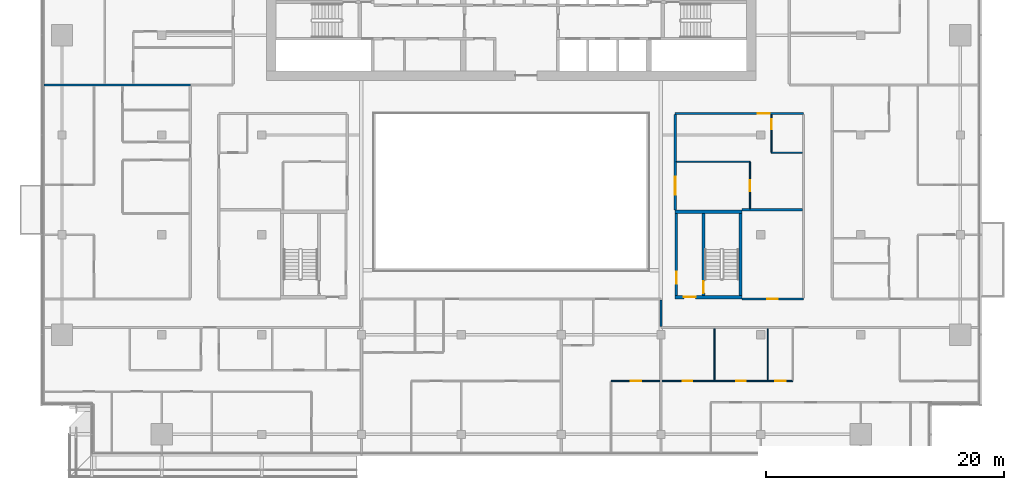
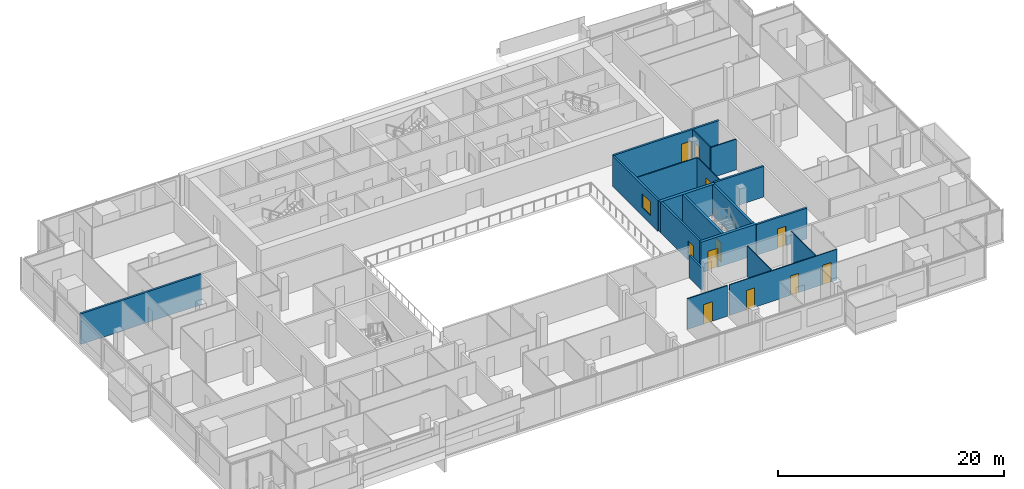
# One storey, part 19 of 30: 19 walls, 11 doors, 1 window, 12 openings.
"""IFC4 building model written with IfcOpenShell, lengths in metres."""

from ifc_helpers import new_model, si_unit, direction, frame, frame_2d, origin, place, context, subcontext, project, spatial, rectangle, extrude, material, layer, layer_set, type_object, element, fill, save


model = new_model("IFC4")

# Units and contexts
model_context = context("Model", 3, precision=1e-05, world=origin(), true_north=direction((0.0, 1.0)))
body_context = subcontext(model_context, "Body", "Model", "MODEL_VIEW")
ifc_project = project(units=[si_unit("LENGTHUNIT", "METRE"), si_unit("AREAUNIT", "SQUARE_METRE"), si_unit("VOLUMEUNIT", "CUBIC_METRE"), si_unit("PLANEANGLEUNIT", "RADIAN"), si_unit("MASSUNIT", "GRAM", prefix="KILO")], contexts=[model_context])

# Site, building, storey
site_placement = place(None, origin())
site = spatial("IfcSite", under=ifc_project, at=site_placement, CompositionType="ELEMENT")
building_placement = place(site_placement, origin())
building = spatial("IfcBuilding", under=site, at=building_placement, Name="Saffron Gate Tower", CompositionType="ELEMENT")
storey_placement = place(building_placement, frame((0.0, 0.0, 169.050048828125)))
storey = spatial("IfcBuildingStorey", under=building, at=storey_placement, Name="L41", CompositionType="ELEMENT", Elevation=169.050048828125)

# Wall, opening, door
ifc_material_1 = material(Name="Gypsum board partition on steel studs", Category="steel")
ifc_layer_1 = layer(ifc_material_1, 0.199951171875)
ifc_layer_set_1 = layer_set([ifc_layer_1], Name="CW10 Core partition 200")
wall_type_1 = type_object("IfcWallType", Name="CW10 Core partition 200", PredefinedType="PARTITIONING", material=ifc_layer_set_1)
wall_1_placement = place(storey_placement, frame((101.5, 43.5, 0.0), z_axis=(0.0, 0.0, 1.0), x_axis=(0.0, 1.0, 0.0)))
wall_1 = element("IfcWall", 1, at=wall_1_placement, inside=storey, type_object=wall_type_1, Name="Wall CW10-L41-E-2", PredefinedType="PARTITIONING", context=body_context, shape_type="SweptSolid", body=[
    extrude(rectangle(XDim=6.89990234375, YDim=0.199951171875, at=frame_2d((3.449951171875, 0.0))), origin(), (0.0, 0.0, 1.0), 3.320068359375),
])
opening_1_placement = place(wall_1_placement, frame((1.0, 0.0, 0.0)))
opening_1 = element("IfcOpeningElement", 2, at=opening_1_placement, cuts=wall_1, Name="Opening CR-22", PredefinedType="OPENING", context=body_context, shape_type="SweptSolid", body=[
    extrude(rectangle(XDim=1.0, YDim=2.10009765625, at=frame_2d((0.5, 1.050048828125))), frame((0.0, 0.10986328125, 0.0), z_axis=(0.0, -1.0, 0.0), x_axis=(1.0, 0.0, 0.0)), (0.0, 0.0, 1.0), 0.219970703125),
])
ifc_material_2 = material(Name="Steel fire door set", Category="steel")
door_type_1 = type_object("IfcDoorType", Name="CD4 Lobby door 1000x2100 EI 120", OperationType="NOTDEFINED", PredefinedType="DOOR", material=ifc_material_2)
door_1_placement = place(opening_1_placement, origin())
door_1 = element("IfcDoor", 3, at=door_1_placement, inside=storey, type_object=door_type_1, Name="DOOR CR-22", OperationType="SINGLE_SWING_LEFT", OverallHeight=2.10009765625, OverallWidth=1.0, PredefinedType="DOOR", context=body_context, shape_type="SweptSolid", body=[
    extrude(rectangle(XDim=1.0, YDim=2.10009765625, at=frame_2d((0.5, 1.050048828125))), frame((0.0, 0.02490234375, 0.0), z_axis=(0.0, -1.0, 0.0), x_axis=(1.0, 0.0, 0.0)), (0.0, 0.0, 1.0), 0.050048828125),
])
fill(opening_1, door_1)

ifc_material_3 = material(Name="Concrete C60", Category="concrete")
ifc_layer_2 = layer(ifc_material_3, 0.25)
ifc_layer_set_2 = layer_set([ifc_layer_2], Name="CW14 RC core wall 250 C60")
wall_type_2 = type_object("IfcWallType", Name="CW14 RC core wall 250 C60", PredefinedType="SOLIDWALL", material=ifc_layer_set_2)
wall_2_placement = place(storey_placement, frame((103.77490234375, 43.5, 0.0), z_axis=(0.0, 0.0, 1.0), x_axis=(0.0, 1.0, 0.0)))
wall_2 = element("IfcWall", 4, at=wall_2_placement, inside=storey, type_object=wall_type_2, Name="Wall CW14-L41-E-3", PredefinedType="SOLIDWALL", context=body_context, shape_type="SweptSolid", body=[
    extrude(rectangle(XDim=6.89990234375, YDim=0.25, at=frame_2d((3.449951171875, 0.0))), origin(), (0.0, 0.0, 1.0), 3.320068359375),
])
opening_2_placement = place(wall_2_placement, frame((0.199951171875, 0.0, 0.0)))
opening_2 = element("IfcOpeningElement", 5, at=opening_2_placement, cuts=wall_2, Name="Opening CR-23", PredefinedType="OPENING", context=body_context, shape_type="SweptSolid", body=[
    extrude(rectangle(XDim=1.0, YDim=2.10009765625, at=frame_2d((0.5, 1.050048828125))), frame((0.0, 0.135009765625, 0.0), z_axis=(0.0, -1.0, 0.0), x_axis=(1.0, 0.0, 0.0)), (0.0, 0.0, 1.0), 0.27001953125),
])
door_type_2 = type_object("IfcDoorType", Name="CD5 Stair door 1000x2100 EI 120", OperationType="NOTDEFINED", PredefinedType="DOOR", material=ifc_material_2)
door_2_placement = place(opening_2_placement, origin())
door_2 = element("IfcDoor", 6, at=door_2_placement, inside=storey, type_object=door_type_2, Name="DOOR CR-23", OperationType="SINGLE_SWING_RIGHT", OverallHeight=2.10009765625, OverallWidth=1.0, PredefinedType="DOOR", context=body_context, shape_type="SweptSolid", body=[
    extrude(rectangle(XDim=1.0, YDim=2.10009765625, at=frame_2d((0.5, 1.050048828125))), frame((0.0, 0.02490234375, 0.0), z_axis=(0.0, -1.0, 0.0), x_axis=(1.0, 0.0, 0.0)), (0.0, 0.0, 1.0), 0.050048828125),
])
fill(opening_2, door_2)

# Wall
wall_3_placement = place(storey_placement, frame((106.875, 43.5, 0.0), z_axis=(0.0, 0.0, 1.0), x_axis=(0.0, 1.0, 0.0)))
element("IfcWall", 7, at=wall_3_placement, inside=storey, type_object=wall_type_2, Name="Wall CW14-L41-E-4", PredefinedType="SOLIDWALL", context=body_context, shape_type="SweptSolid", body=[
    extrude(rectangle(XDim=6.89990234375, YDim=0.25, at=frame_2d((3.449951171875, 0.0))), origin(), (0.0, 0.0, 1.0), 3.320068359375),
])

# Wall, opening, door
ifc_layer_3 = layer(ifc_material_3, 0.300048828125)
ifc_layer_set_3 = layer_set([ifc_layer_3], Name="CW17 RC core wall 300 C60")
wall_type_3 = type_object("IfcWallType", Name="CW17 RC core wall 300 C60", PredefinedType="SOLIDWALL", material=ifc_layer_set_3)
wall_4_placement = place(storey_placement, frame((101.39990234375, 43.35009765625, 0.0), z_axis=(0.0, 0.0, 1.0), x_axis=(1.0, 0.0, 0.0)))
wall_4 = element("IfcWall", 8, at=wall_4_placement, inside=storey, type_object=wall_type_3, Name="Wall CW17-L41-E-1", PredefinedType="SOLIDWALL", context=body_context, shape_type="SweptSolid", body=[
    extrude(rectangle(XDim=5.60009765625, YDim=0.300048828125, at=frame_2d((2.800048828125, 0.0))), origin(), (0.0, 0.0, 1.0), 3.320068359375),
])
opening_3_placement = place(wall_4_placement, frame((0.72509765625, 0.0, 0.0)))
opening_3 = element("IfcOpeningElement", 9, at=opening_3_placement, cuts=wall_4, Name="Opening CR-21", PredefinedType="OPENING", context=body_context, shape_type="SweptSolid", body=[
    extrude(rectangle(XDim=1.0, YDim=2.10009765625, at=frame_2d((0.5, 1.050048828125))), frame((0.0, 0.16015625, 0.0), z_axis=(0.0, -1.0, 0.0), x_axis=(1.0, 0.0, 0.0)), (0.0, 0.0, 1.0), 0.320068359375),
])
door_3_placement = place(opening_3_placement, origin())
door_3 = element("IfcDoor", 10, at=door_3_placement, inside=storey, type_object=door_type_1, Name="DOOR CR-21", OperationType="SINGLE_SWING_RIGHT", OverallHeight=2.10009765625, OverallWidth=1.0, PredefinedType="DOOR", context=body_context, shape_type="SweptSolid", body=[
    extrude(rectangle(XDim=1.0, YDim=2.10009765625, at=frame_2d((0.5, 1.050048828125))), frame((0.0, 0.02490234375, 0.0), z_axis=(0.0, -1.0, 0.0), x_axis=(1.0, 0.0, 0.0)), (0.0, 0.0, 1.0), 0.050048828125),
])
fill(opening_3, door_3)

# Walls
wall_5_placement = place(storey_placement, frame((101.39990234375, 50.550048828125, 0.0), z_axis=(0.0, 0.0, 1.0), x_axis=(1.0, 0.0, 0.0)))
element("IfcWall", 11, at=wall_5_placement, inside=storey, type_object=wall_type_3, Name="Wall CW17-L41-E-5", PredefinedType="SOLIDWALL", context=body_context, shape_type="SweptSolid", body=[
    extrude(rectangle(XDim=5.60009765625, YDim=0.300048828125, at=frame_2d((2.800048828125, 0.0))), origin(), (0.0, 0.0, 1.0), 3.320068359375),
])
ifc_material_4 = material(Name="Plasterboard on steel studs", Category="steel")
ifc_layer_4 = layer(ifc_material_4, 0.10009765625)
ifc_layer_set_4 = layer_set([ifc_layer_4], Name="PW1 Partition 100")
wall_type_4 = type_object("IfcWallType", Name="PW1 Partition 100", PredefinedType="PARTITIONING", material=ifc_layer_set_4)
wall_6_placement = place(storey_placement, frame((101.5, 54.75, 0.0), z_axis=(0.0, 0.0, 1.0), x_axis=(1.0, 0.0, 0.0)))
element("IfcWall", 12, at=wall_6_placement, inside=storey, type_object=wall_type_4, Name="Partition C3-31", PredefinedType="PARTITIONING", context=body_context, shape_type="SweptSolid", body=[
    extrude(rectangle(XDim=6.199951171875, YDim=0.10009765625, at=frame_2d((3.10009765625, 0.0))), origin(), (0.0, 0.0, 1.0), 3.320068359375),
])
wall_7_placement = place(storey_placement, frame((109.5, 55.5, 0.0), z_axis=(0.0, 0.0, 1.0), x_axis=(1.0, 0.0, 0.0)))
element("IfcWall", 13, at=wall_7_placement, inside=storey, type_object=wall_type_4, Name="Partition C3-34", PredefinedType="PARTITIONING", context=body_context, shape_type="SweptSolid", body=[
    extrude(rectangle(XDim=2.60009765625, YDim=0.10009765625, at=frame_2d((1.300048828125, 0.0))), origin(), (0.0, 0.0, 1.0), 3.320068359375),
])
wall_8_placement = place(storey_placement, frame((104.699951171875, 40.699951171875, 0.0), z_axis=(0.0, 0.0, 1.0), x_axis=(0.0, -1.0, 0.0)))
element("IfcWall", 14, at=wall_8_placement, inside=storey, type_object=wall_type_4, Name="Partition C3-98", PredefinedType="PARTITIONING", context=body_context, shape_type="SweptSolid", body=[
    extrude(rectangle(XDim=4.349853515625, YDim=0.10009765625, at=frame_2d((2.1748046875, 0.0))), origin(), (0.0, 0.0, 1.0), 3.320068359375),
])

# Wall, opening, door
wall_9_placement = place(storey_placement, frame((107.699951171875, 50.800048828125, 0.0), z_axis=(0.0, 0.0, 1.0), x_axis=(0.0, 1.0, 0.0)))
wall_9 = element("IfcWall", 15, at=wall_9_placement, inside=storey, type_object=wall_type_4, Name="Partition C3-99", PredefinedType="PARTITIONING", context=body_context, shape_type="SweptSolid", body=[
    extrude(rectangle(XDim=3.89990234375, YDim=0.10009765625, at=frame_2d((1.949951171875, 0.0))), origin(), (0.0, 0.0, 1.0), 3.320068359375),
])
opening_4_placement = place(wall_9_placement, frame((1.47509765625, 0.0, 0.0)))
opening_4 = element("IfcOpeningElement", 16, at=opening_4_placement, cuts=wall_9, Name="Opening C3-39", PredefinedType="OPENING", context=body_context, shape_type="SweptSolid", body=[
    extrude(rectangle(XDim=0.89990234375, YDim=2.10009765625, at=frame_2d((0.449951171875, 1.050048828125))), frame((0.0, 0.06005859375, 0.0), z_axis=(0.0, -1.0, 0.0), x_axis=(1.0, 0.0, 0.0)), (0.0, 0.0, 1.0), 0.1201171875),
])
ifc_material_5 = material(Name="Timber door set", Category="wood")
door_type_3 = type_object("IfcDoorType", Name="RD1 Room door 900x2100", OperationType="NOTDEFINED", PredefinedType="DOOR", material=ifc_material_5)
door_4_placement = place(opening_4_placement, origin())
door_4 = element("IfcDoor", 17, at=door_4_placement, inside=storey, type_object=door_type_3, Name="Door C3-39", OperationType="SINGLE_SWING_LEFT", OverallHeight=2.10009765625, OverallWidth=0.89990234375, PredefinedType="DOOR", context=body_context, shape_type="SweptSolid", body=[
    extrude(rectangle(XDim=0.89990234375, YDim=2.10009765625, at=frame_2d((0.449951171875, 1.050048828125))), frame((0.0, 0.02490234375, 0.0), z_axis=(0.0, -1.0, 0.0), x_axis=(1.0, 0.0, 0.0)), (0.0, 0.0, 1.0), 0.050048828125),
])
fill(opening_4, door_4)

# Wall
wall_10_placement = place(storey_placement, frame((109.199951171875, 40.699951171875, 0.0), z_axis=(0.0, 0.0, 1.0), x_axis=(0.0, -1.0, 0.0)))
element("IfcWall", 18, at=wall_10_placement, inside=storey, type_object=wall_type_4, Name="Partition C3-102", PredefinedType="PARTITIONING", context=body_context, shape_type="SweptSolid", body=[
    extrude(rectangle(XDim=4.349853515625, YDim=0.10009765625, at=frame_2d((2.1748046875, 0.0))), origin(), (0.0, 0.0, 1.0), 3.320068359375),
])

# Wall, opening, door
wall_11_placement = place(storey_placement, frame((109.5, 58.699951171875, 0.0), z_axis=(0.0, 0.0, 1.0), x_axis=(0.0, -1.0, 0.0)))
wall_11 = element("IfcWall", 19, at=wall_11_placement, inside=storey, type_object=wall_type_4, Name="Partition C3-103", PredefinedType="PARTITIONING", context=body_context, shape_type="SweptSolid", body=[
    extrude(rectangle(XDim=3.14990234375, YDim=0.10009765625, at=frame_2d((1.574951171875, 0.0))), origin(), (0.0, 0.0, 1.0), 3.320068359375),
])
opening_5_placement = place(wall_11_placement, frame((0.39990234375, 0.0, 0.0)))
opening_5 = element("IfcOpeningElement", 20, at=opening_5_placement, cuts=wall_11, Name="Opening C3-54", PredefinedType="OPENING", context=body_context, shape_type="SweptSolid", body=[
    extrude(rectangle(XDim=0.800048828125, YDim=2.10009765625, at=frame_2d((0.39990234375, 1.050048828125))), frame((0.0, 0.06005859375, 0.0), z_axis=(0.0, -1.0, 0.0), x_axis=(1.0, 0.0, 0.0)), (0.0, 0.0, 1.0), 0.1201171875),
])
door_type_4 = type_object("IfcDoorType", Name="RD2 Bathroom door 800x2100", OperationType="NOTDEFINED", PredefinedType="DOOR", material=ifc_material_5)
door_5_placement = place(opening_5_placement, origin())
door_5 = element("IfcDoor", 21, at=door_5_placement, inside=storey, type_object=door_type_4, Name="Door C3-54", OperationType="SINGLE_SWING_LEFT", OverallHeight=2.10009765625, OverallWidth=0.800048828125, PredefinedType="DOOR", context=body_context, shape_type="SweptSolid", body=[
    extrude(rectangle(XDim=0.800048828125, YDim=2.10009765625, at=frame_2d((0.39990234375, 1.050048828125))), frame((0.0, 0.02490234375, 0.0), z_axis=(0.0, -1.0, 0.0), x_axis=(1.0, 0.0, 0.0)), (0.0, 0.0, 1.0), 0.050048828125),
])
fill(opening_5, door_5)

wall_12_placement = place(storey_placement, frame((100.10009765625, 36.300048828125, 0.0), z_axis=(0.0, 0.0, 1.0), x_axis=(-1.0, 0.0, 0.0)))
wall_12 = element("IfcWall", 22, at=wall_12_placement, inside=storey, type_object=wall_type_4, Name="Partition C3-119", PredefinedType="PARTITIONING", context=body_context, shape_type="SweptSolid", body=[
    extrude(rectangle(XDim=4.10009765625, YDim=0.10009765625, at=frame_2d((2.050048828125, 0.0))), origin(), (0.0, 0.0, 1.0), 3.320068359375),
])
opening_6_placement = place(wall_12_placement, frame((1.550048828125, 0.0, 0.0)))
opening_6 = element("IfcOpeningElement", 23, at=opening_6_placement, cuts=wall_12, Name="Opening C3-19", PredefinedType="OPENING", context=body_context, shape_type="SweptSolid", body=[
    extrude(rectangle(XDim=0.89990234375, YDim=2.10009765625, at=frame_2d((0.449951171875, 1.050048828125))), frame((0.0, 0.06005859375, 0.0), z_axis=(0.0, -1.0, 0.0), x_axis=(1.0, 0.0, 0.0)), (0.0, 0.0, 1.0), 0.1201171875),
])
door_6_placement = place(opening_6_placement, origin())
door_6 = element("IfcDoor", 24, at=door_6_placement, inside=storey, type_object=door_type_3, Name="Door C3-19", OperationType="SINGLE_SWING_LEFT", OverallHeight=2.10009765625, OverallWidth=0.89990234375, PredefinedType="DOOR", context=body_context, shape_type="SweptSolid", body=[
    extrude(rectangle(XDim=0.89990234375, YDim=2.10009765625, at=frame_2d((0.449951171875, 1.050048828125))), frame((0.0, 0.02490234375, 0.0), z_axis=(0.0, -1.0, 0.0), x_axis=(1.0, 0.0, 0.0)), (0.0, 0.0, 1.0), 0.050048828125),
])
fill(opening_6, door_6)

# Wall, openings, doors
wall_13_placement = place(storey_placement, frame((100.300048828125, 36.300048828125, 0.0), z_axis=(0.0, 0.0, 1.0), x_axis=(1.0, 0.0, 0.0)))
wall_13 = element("IfcWall", 25, at=wall_13_placement, inside=storey, type_object=wall_type_4, Name="Partition C3-120", PredefinedType="PARTITIONING", context=body_context, shape_type="SweptSolid", body=[
    extrude(rectangle(XDim=11.0, YDim=0.10009765625, at=frame_2d((5.5, 0.0))), origin(), (0.0, 0.0, 1.0), 3.320068359375),
])
opening_7_placement = place(wall_13_placement, frame((1.75, 0.0, 0.0)))
opening_7 = element("IfcOpeningElement", 26, at=opening_7_placement, cuts=wall_13, Name="Opening C3-45", PredefinedType="OPENING", context=body_context, shape_type="SweptSolid", body=[
    extrude(rectangle(XDim=0.800048828125, YDim=2.10009765625, at=frame_2d((0.39990234375, 1.050048828125))), frame((0.0, 0.06005859375, 0.0), z_axis=(0.0, -1.0, 0.0), x_axis=(1.0, 0.0, 0.0)), (0.0, 0.0, 1.0), 0.1201171875),
])
opening_8_placement = place(wall_13_placement, frame((6.25, 0.0, 0.0)))
opening_8 = element("IfcOpeningElement", 27, at=opening_8_placement, cuts=wall_13, Name="Opening C3-46", PredefinedType="OPENING", context=body_context, shape_type="SweptSolid", body=[
    extrude(rectangle(XDim=0.800048828125, YDim=2.10009765625, at=frame_2d((0.39990234375, 1.050048828125))), frame((0.0, 0.06005859375, 0.0), z_axis=(0.0, -1.0, 0.0), x_axis=(1.0, 0.0, 0.0)), (0.0, 0.0, 1.0), 0.1201171875),
])
opening_9_placement = place(wall_13_placement, frame((9.5, 0.0, 0.0)))
opening_9 = element("IfcOpeningElement", 28, at=opening_9_placement, cuts=wall_13, Name="Opening C3-25", PredefinedType="OPENING", context=body_context, shape_type="SweptSolid", body=[
    extrude(rectangle(XDim=0.89990234375, YDim=2.10009765625, at=frame_2d((0.449951171875, 1.050048828125))), frame((0.0, 0.06005859375, 0.0), z_axis=(0.0, -1.0, 0.0), x_axis=(1.0, 0.0, 0.0)), (0.0, 0.0, 1.0), 0.1201171875),
])
door_7_placement = place(opening_9_placement, origin())
door_7 = element("IfcDoor", 29, at=door_7_placement, inside=storey, type_object=door_type_3, Name="Door C3-25", OperationType="SINGLE_SWING_RIGHT", OverallHeight=2.10009765625, OverallWidth=0.89990234375, PredefinedType="DOOR", context=body_context, shape_type="SweptSolid", body=[
    extrude(rectangle(XDim=0.89990234375, YDim=2.10009765625, at=frame_2d((0.449951171875, 1.050048828125))), frame((0.0, 0.02490234375, 0.0), z_axis=(0.0, -1.0, 0.0), x_axis=(1.0, 0.0, 0.0)), (0.0, 0.0, 1.0), 0.050048828125),
])
fill(opening_9, door_7)
door_8_placement = place(opening_7_placement, origin())
door_8 = element("IfcDoor", 30, at=door_8_placement, inside=storey, type_object=door_type_4, Name="Door C3-45", OperationType="SINGLE_SWING_LEFT", OverallHeight=2.10009765625, OverallWidth=0.800048828125, PredefinedType="DOOR", context=body_context, shape_type="SweptSolid", body=[
    extrude(rectangle(XDim=0.800048828125, YDim=2.10009765625, at=frame_2d((0.39990234375, 1.050048828125))), frame((0.0, 0.02490234375, 0.0), z_axis=(0.0, -1.0, 0.0), x_axis=(1.0, 0.0, 0.0)), (0.0, 0.0, 1.0), 0.050048828125),
])
fill(opening_7, door_8)
door_9_placement = place(opening_8_placement, origin())
door_9 = element("IfcDoor", 31, at=door_9_placement, inside=storey, type_object=door_type_4, Name="Door C3-46", OperationType="SINGLE_SWING_RIGHT", OverallHeight=2.10009765625, OverallWidth=0.800048828125, PredefinedType="DOOR", context=body_context, shape_type="SweptSolid", body=[
    extrude(rectangle(XDim=0.800048828125, YDim=2.10009765625, at=frame_2d((0.39990234375, 1.050048828125))), frame((0.0, 0.02490234375, 0.0), z_axis=(0.0, -1.0, 0.0), x_axis=(1.0, 0.0, 0.0)), (0.0, 0.0, 1.0), 0.050048828125),
])
fill(opening_8, door_9)

# Walls
ifc_material_6 = material(Name="Clay brick masonry, rendered", Category="masonry")
ifc_layer_5 = layer(ifc_material_6, 0.199951171875)
ifc_layer_set_5 = layer_set([ifc_layer_5], Name="PW2 Demising wall 200")
wall_type_5 = type_object("IfcWallType", Name="PW2 Demising wall 200", PredefinedType="PARTITIONING", material=ifc_layer_set_5)
wall_14_placement = place(storey_placement, frame((107.0, 50.699951171875, 0.0), z_axis=(0.0, 0.0, 1.0), x_axis=(1.0, 0.0, 0.0)))
element("IfcWall", 32, at=wall_14_placement, inside=storey, type_object=wall_type_5, Name="Wall C3-27", PredefinedType="PARTITIONING", context=body_context, shape_type="SweptSolid", body=[
    extrude(rectangle(XDim=5.10009765625, YDim=0.199951171875, at=frame_2d((2.550048828125, 0.0))), origin(), (0.0, 0.0, 1.0), 3.320068359375),
])
wall_15_placement = place(storey_placement, frame((48.280029296875, 61.199951171875, 0.0), z_axis=(0.0, 0.0, 1.0), x_axis=(1.0, 0.0, 0.0)))
element("IfcWall", 33, at=wall_15_placement, inside=storey, type_object=wall_type_5, Name="Wall C3-43", PredefinedType="PARTITIONING", context=body_context, shape_type="SweptSolid", body=[
    extrude(rectangle(XDim=12.320068359375, YDim=0.199951171875, at=frame_2d((6.16015625, 0.0))), origin(), (0.0, 0.0, 1.0), 3.320068359375),
])

# Wall, opening, door
ifc_layer_6 = layer(ifc_material_6, 0.199951171875)
ifc_layer_set_6 = layer_set([ifc_layer_6], Name="PW3 Corridor wall 200")
wall_type_6 = type_object("IfcWallType", Name="PW3 Corridor wall 200", PredefinedType="PARTITIONING", material=ifc_layer_set_6)
wall_16_placement = place(storey_placement, frame((107.0, 43.199951171875, 0.0), z_axis=(0.0, 0.0, 1.0), x_axis=(1.0, 0.0, 0.0)))
wall_16 = element("IfcWall", 34, at=wall_16_placement, inside=storey, type_object=wall_type_6, Name="Wall C3-16", PredefinedType="PARTITIONING", context=body_context, shape_type="SweptSolid", body=[
    extrude(rectangle(XDim=5.199951171875, YDim=0.199951171875, at=frame_2d((2.60009765625, 0.0))), origin(), (0.0, 0.0, 1.0), 3.320068359375),
])
opening_10_placement = place(wall_16_placement, frame((2.14990234375, 0.0, 0.0)))
opening_10 = element("IfcOpeningElement", 35, at=opening_10_placement, cuts=wall_16, Name="Opening C3-55", PredefinedType="OPENING", context=body_context, shape_type="SweptSolid", body=[
    extrude(rectangle(XDim=0.89990234375, YDim=2.10009765625, at=frame_2d((0.449951171875, 1.050048828125))), frame((0.0, 0.10986328125, 0.0), z_axis=(0.0, -1.0, 0.0), x_axis=(1.0, 0.0, 0.0)), (0.0, 0.0, 1.0), 0.219970703125),
])
door_type_5 = type_object("IfcDoorType", Name="SD1 Service door 900x2100", OperationType="NOTDEFINED", PredefinedType="DOOR", material=ifc_material_2)
door_10_placement = place(opening_10_placement, origin())
door_10 = element("IfcDoor", 36, at=door_10_placement, inside=storey, type_object=door_type_5, Name="Door C3-55", OperationType="SINGLE_SWING_LEFT", OverallHeight=2.10009765625, OverallWidth=0.89990234375, PredefinedType="DOOR", context=body_context, shape_type="SweptSolid", body=[
    extrude(rectangle(XDim=0.89990234375, YDim=2.10009765625, at=frame_2d((0.449951171875, 1.050048828125))), frame((0.0, 0.02490234375, 0.0), z_axis=(0.0, -1.0, 0.0), x_axis=(1.0, 0.0, 0.0)), (0.0, 0.0, 1.0), 0.050048828125),
])
fill(opening_10, door_10)

wall_17_placement = place(storey_placement, frame((112.199951171875, 58.800048828125, 0.0), z_axis=(0.0, 0.0, 1.0), x_axis=(-1.0, 0.0, 0.0)))
wall_17 = element("IfcWall", 37, at=wall_17_placement, inside=storey, type_object=wall_type_6, Name="Wall C3-39", PredefinedType="PARTITIONING", context=body_context, shape_type="SweptSolid", body=[
    extrude(rectangle(XDim=10.800048828125, YDim=0.199951171875, at=frame_2d((5.39990234375, 0.0))), origin(), (0.0, 0.0, 1.0), 3.320068359375),
])
opening_11_placement = place(wall_17_placement, frame((2.85009765625, 0.0, 0.0)))
opening_11 = element("IfcOpeningElement", 38, at=opening_11_placement, cuts=wall_17, Name="Opening C3-10", PredefinedType="OPENING", context=body_context, shape_type="SweptSolid", body=[
    extrude(rectangle(XDim=1.0, YDim=2.10009765625, at=frame_2d((0.5, 1.050048828125))), frame((0.0, 0.10986328125, 0.0), z_axis=(0.0, -1.0, 0.0), x_axis=(1.0, 0.0, 0.0)), (0.0, 0.0, 1.0), 0.219970703125),
])
ifc_material_7 = material(Name="Timber fire door set", Category="wood")
door_type_6 = type_object("IfcDoorType", Name="FD1 Flat entry door 1000x2100", OperationType="NOTDEFINED", PredefinedType="DOOR", material=ifc_material_7)
door_11_placement = place(opening_11_placement, origin())
door_11 = element("IfcDoor", 39, at=door_11_placement, inside=storey, type_object=door_type_6, Name="Door C3-10", OperationType="SINGLE_SWING_LEFT", OverallHeight=2.10009765625, OverallWidth=1.0, PredefinedType="DOOR", context=body_context, shape_type="SweptSolid", body=[
    extrude(rectangle(XDim=1.0, YDim=2.10009765625, at=frame_2d((0.5, 1.050048828125))), frame((0.0, 0.02490234375, 0.0), z_axis=(0.0, -1.0, 0.0), x_axis=(1.0, 0.0, 0.0)), (0.0, 0.0, 1.0), 0.050048828125),
])
fill(opening_11, door_11)

# Wall
wall_18_placement = place(storey_placement, frame((100.199951171875, 43.10009765625, 0.0), z_axis=(0.0, 0.0, 1.0), x_axis=(0.0, -1.0, 0.0)))
element("IfcWall", 40, at=wall_18_placement, inside=storey, type_object=wall_type_6, Name="Wall C3-93", PredefinedType="PARTITIONING", context=body_context, shape_type="SweptSolid", body=[
    extrude(rectangle(XDim=2.2001953125, YDim=0.199951171875, at=frame_2d((1.10009765625, 0.0))), origin(), (0.0, 0.0, 1.0), 2.429931640625),
])

# Wall, opening, window
wall_19_placement = place(storey_placement, frame((101.39990234375, 58.699951171875, 0.0), z_axis=(0.0, 0.0, 1.0), x_axis=(0.0, -1.0, 0.0)))
wall_19 = element("IfcWall", 41, at=wall_19_placement, inside=storey, type_object=wall_type_6, Name="Wall C3-96", PredefinedType="PARTITIONING", context=body_context, shape_type="SweptSolid", body=[
    extrude(rectangle(XDim=8.0, YDim=0.199951171875, at=frame_2d((4.0, 0.0))), origin(), (0.0, 0.0, 1.0), 3.320068359375),
])
opening_12_placement = place(wall_19_placement, frame((5.22509765625, 0.0, 0.89990234375)))
opening_12 = element("IfcOpeningElement", 42, at=opening_12_placement, cuts=wall_19, Name="Opening GW1", PredefinedType="OPENING", context=body_context, shape_type="SweptSolid", body=[
    extrude(rectangle(XDim=1.5, YDim=1.5, at=frame_2d((0.75, 0.75))), frame((0.0, 0.10986328125, 0.0), z_axis=(0.0, -1.0, 0.0), x_axis=(1.0, 0.0, 0.0)), (0.0, 0.0, 1.0), 0.219970703125),
])
ifc_material_8 = material(Name="Fire-resisting laminated glass in steel frame", Category="steel")
ifc_layer_7 = layer(ifc_material_8, 0.06005859375)
ifc_layer_set_7 = layer_set([ifc_layer_7], Name="GW1 Gallery window 1500x1500")
window_type = type_object("IfcWindowType", Name="GW1 Gallery window 1500x1500", PartitioningType="SINGLE_PANEL", PredefinedType="WINDOW", material=ifc_layer_set_7)
window_placement = place(opening_12_placement, origin())
window = element("IfcWindow", 43, at=window_placement, inside=storey, type_object=window_type, Name="GW1 window C3-K-B1", OverallHeight=1.5, OverallWidth=1.5, PartitioningType="SINGLE_PANEL", PredefinedType="WINDOW", context=body_context, shape_type="SweptSolid", body=[
    extrude(rectangle(XDim=1.5, YDim=1.5, at=frame_2d((0.75, 0.75))), frame((0.0, 0.030029296875, 0.0), z_axis=(0.0, -1.0, 0.0), x_axis=(1.0, 0.0, 0.0)), (0.0, 0.0, 1.0), 0.06005859375),
])
fill(opening_12, window)

save(model, "model.ifc")
